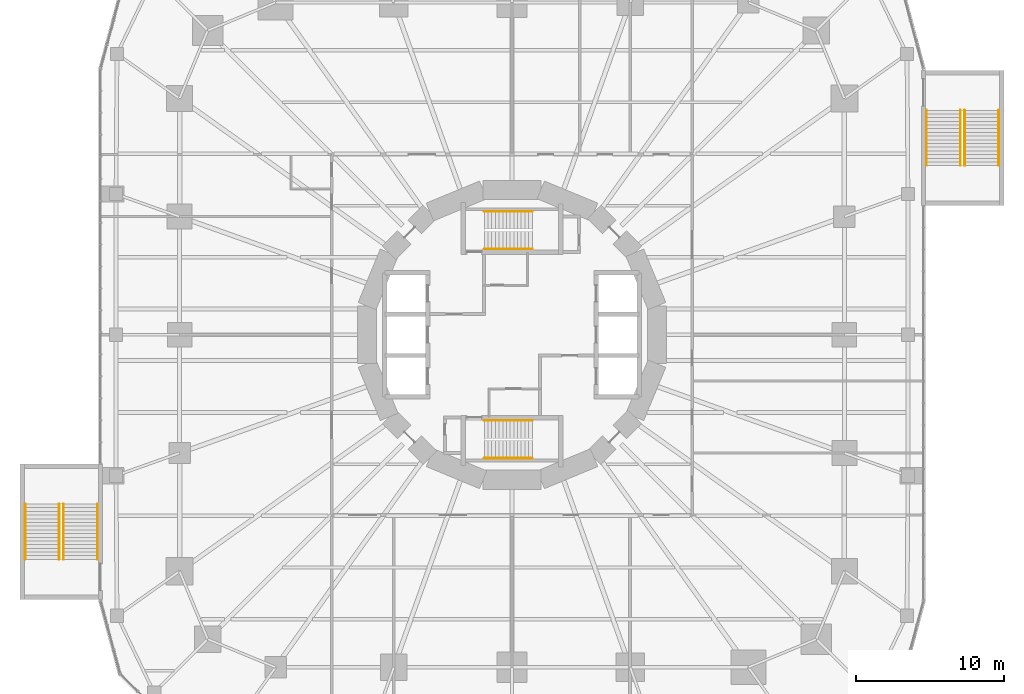
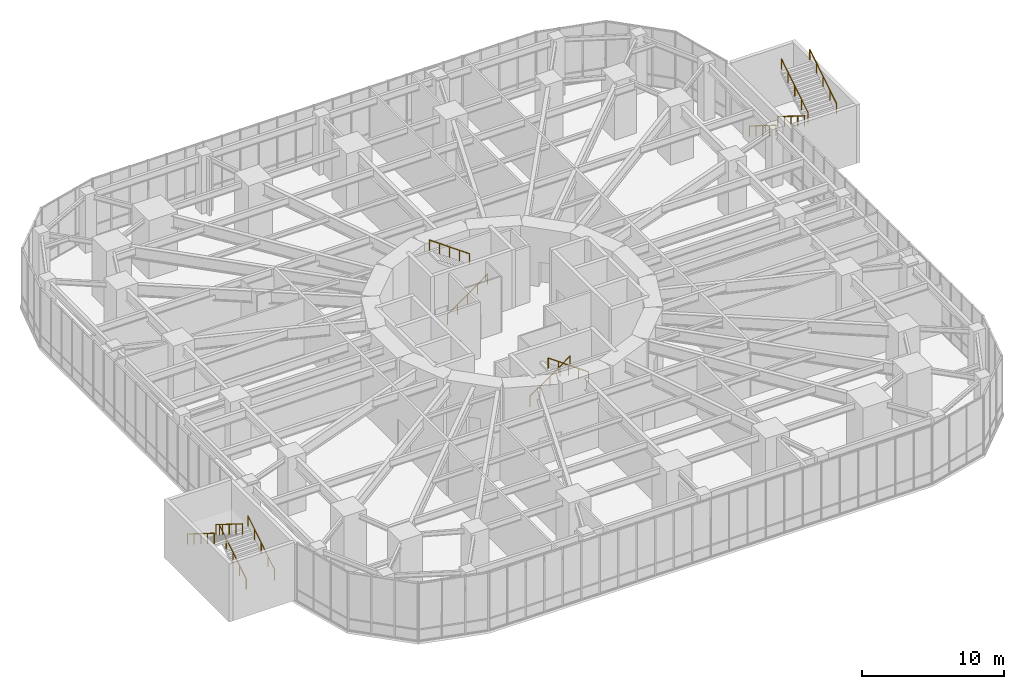
# One storey, part 24 of 24: 12 railings.
"""IFC4 building model written with IfcOpenShell, lengths in metres."""

import ifcopenshell
import ifcopenshell.guid

model = None  # the IFC model being written
_history = None  # IfcOwnerHistory: only IFC2X3 demands one
_inside = {}  # id of a spatial element -> (the spatial element, [elements in it])
_under = {}  # id of a project, library or spatial element -> (it, [spatial elements below it])
_declared = {}  # id of a project -> (the project, [libraries it declares])
_typed = {}  # id of a type object -> (the type object, [elements of that type])
_made_of = {}  # id of a material, layer set ... -> (it, [elements and type objects made of it])


def new_model(schema):
    """Start an empty IFC model of exactly this schema.

    Asked for "IFC4X3", IfcOpenShell would pick the latest addendum, in which some entities
    have other attributes; the version numbers below select the first issue.
    IFC2X3 requires an IfcOwnerHistory on every rooted entity: one is made here for all.
    """
    global model, _history
    if schema == "IFC4X3":
        model = ifcopenshell.file(schema_version=(4, 3, 0, 0))
    else:
        model = ifcopenshell.file(schema=schema)
    _inside.clear()
    _under.clear()
    _declared.clear()
    _typed.clear()
    _made_of.clear()
    _history = None
    if model.schema == "IFC2X3":
        org = make("IfcOrganization", Name="unknown")
        user = make(
            "IfcPersonAndOrganization",
            ThePerson=make("IfcPerson", FamilyName="unknown"),
            TheOrganization=org,
        )
        app = make(
            "IfcApplication",
            ApplicationDeveloper=org,
            Version="unknown",
            ApplicationFullName="unknown",
            ApplicationIdentifier="unknown",
        )
        _history = make(
            "IfcOwnerHistory",
            OwningUser=user,
            OwningApplication=app,
            ChangeAction="ADDED",
            CreationDate=0,
        )
    return model


def make(cls, **values):
    """One entity of the class cls with the attributes given. An attribute that is None is left unset."""
    return model.create_entity(
        cls, **{name: value for name, value in values.items() if value is not None}
    )


def rooted(cls, **values):
    """An entity with a GlobalId (a new one), such as an element, a storey or a relation."""
    return make(cls, GlobalId=ifcopenshell.guid.new(), OwnerHistory=_history, **values)


def si_unit(unit_type, name, prefix=None):
    """IfcSIUnit, for example si_unit("LENGTHUNIT", "METRE", prefix="MILLI")."""
    return make("IfcSIUnit", UnitType=unit_type, Prefix=prefix, Name=name)


def assignment(units):
    """IfcUnitAssignment: the units of a project."""
    return None if units is None else make("IfcUnitAssignment", Units=units)


def point(xyz):
    """IfcCartesianPoint."""
    return None if xyz is None else make("IfcCartesianPoint", Coordinates=xyz)


def direction(xyz):
    """IfcDirection."""
    return None if xyz is None else make("IfcDirection", DirectionRatios=xyz)


def frame(location, z_axis=None, x_axis=None):
    """IfcAxis2Placement3D, a coordinate frame: its origin and axes. An axis left out is left unset."""
    return make(
        "IfcAxis2Placement3D",
        Location=point(location),
        Axis=direction(z_axis),
        RefDirection=direction(x_axis),
    )


def frame_2d(location, x_axis=None):
    """IfcAxis2Placement2D, a coordinate frame in the plane: its origin and x axis."""
    return make(
        "IfcAxis2Placement2D", Location=point(location), RefDirection=direction(x_axis)
    )


def origin():
    """The frame at (0, 0, 0) with its axes left unset."""
    return frame((0.0, 0.0, 0.0))


def origin_2d():
    """The frame at (0, 0) in the plane with its x axis left unset."""
    return frame_2d((0.0, 0.0))


def place(relative_to, where):
    """IfcLocalPlacement: puts the frame where relative to a parent placement (None: the world)."""
    return make(
        "IfcLocalPlacement", PlacementRelTo=relative_to, RelativePlacement=where
    )


def context(
    kind, dimensions, precision=None, world=None, true_north=None, identifier=None
):
    """IfcGeometricRepresentationContext, for example the 3D "Model" context."""
    return make(
        "IfcGeometricRepresentationContext",
        ContextIdentifier=identifier,
        ContextType=kind,
        CoordinateSpaceDimension=dimensions,
        Precision=precision,
        WorldCoordinateSystem=world,
        TrueNorth=true_north,
    )


def subcontext(parent, identifier, kind, view, scale=None):
    """IfcGeometricRepresentationSubContext, for example "Body" below "Model"."""
    return make(
        "IfcGeometricRepresentationSubContext",
        ContextIdentifier=identifier,
        ContextType=kind,
        ParentContext=parent,
        TargetScale=scale,
        TargetView=view,
    )


def project(units=None, contexts=None):
    """IfcProject with its units and contexts."""
    return rooted(
        "IfcProject",
        Name="project",
        RepresentationContexts=contexts,
        UnitsInContext=assignment(units),
    )


def spatial(cls, under=None, at=None, **own):
    """A site, building, storey or space (cls), placed at a placement, below another one or the project."""
    s = rooted(cls, ObjectPlacement=at, **own)
    if under is not None:
        _under.setdefault(under.id(), (under, []))[1].append(s)
    return s


def profile(cls, at=None, kind="AREA", **sizes):
    """A parametric profile (cls). Its sizes go by their IFC names, for example OverallWidth=200.0."""
    return make(cls, ProfileType=kind, Position=at, **sizes)


def circle(**sizes):
    """IfcCircleProfileDef."""
    return profile("IfcCircleProfileDef", **sizes)


def extrude(swept, where, along, depth):
    """IfcExtrudedAreaSolid: the profile swept, set in the frame where, extruded along a direction by depth."""
    return make(
        "IfcExtrudedAreaSolid",
        SweptArea=swept,
        Position=where,
        ExtrudedDirection=direction(along),
        Depth=depth,
    )


def shape(context_of_items, identifier, shape_type, items):
    """IfcShapeRepresentation: the items that make up one representation, for example the "Body"."""
    return make(
        "IfcShapeRepresentation",
        ContextOfItems=context_of_items,
        RepresentationIdentifier=identifier,
        RepresentationType=shape_type,
        Items=items,
    )


def material(Name=None, Category=None):
    """IfcMaterial."""
    return make("IfcMaterial", Name=Name, Category=Category)


def made_of(thing, what):
    """Note that an element or type object is made of a material, layer set ...; save() writes the relation."""
    if what is not None:
        _made_of.setdefault(what.id(), (what, []))[1].append(thing)
    return thing


def type_object(cls, material=None, **own):
    """A type object (cls), such as IfcWallType, which elements share."""
    return made_of(rooted(cls, **own), material)


def element(
    cls,
    number,
    at=None,
    inside=None,
    cuts=None,
    type_object=None,
    material=None,
    context=None,
    identifier="Body",
    shape_type=None,
    held_by="IfcProductDefinitionShape",
    body=None,
    shapes=None,
    **own,
):
    """One element of the class cls, such as IfcWall. Its Tag is "e" and its number.

    at: its placement. inside: the storey or other place that contains it. cuts: it is an
    opening in that element (IfcRelVoidsElement). A single representation is given by context,
    identifier, shape_type and body (its items); several are given by shapes. held_by: the class
    of the entity that holds the representations. save() writes the other relations.
    """
    e = rooted(cls, Tag="e%d" % number, ObjectPlacement=at, **own)
    if body is not None:
        shapes = [shape(context, identifier, shape_type, body)]
    if shapes is not None:
        e.Representation = make(held_by, Representations=shapes)
    if inside is not None:
        _inside.setdefault(inside.id(), (inside, []))[1].append(e)
    if cuts is not None:
        rooted(
            "IfcRelVoidsElement", RelatingBuildingElement=cuts, RelatedOpeningElement=e
        )
    if type_object is not None:
        _typed.setdefault(type_object.id(), (type_object, []))[1].append(e)
    return made_of(e, material)


def aggregate(whole, parts):
    """IfcRelAggregates: a whole, such as a stair, and the parts it consists of."""
    return rooted("IfcRelAggregates", RelatingObject=whole, RelatedObjects=parts)


def save(model, path):
    """Write the relations noted so far, then the file.

    IfcRelAggregates (storeys below a building ...), IfcRelContainedInSpatialStructure (elements
    in a storey), IfcRelDefinesByType, IfcRelAssociatesMaterial and IfcRelDeclares: one each for
    every whole, place, type object, material and project.
    """
    for whole, parts in _under.values():
        aggregate(whole, parts)
    for where, things in _inside.values():
        rooted(
            "IfcRelContainedInSpatialStructure",
            RelatedElements=things,
            RelatingStructure=where,
        )
    for kind, things in _typed.values():
        rooted("IfcRelDefinesByType", RelatedObjects=things, RelatingType=kind)
    for what, things in _made_of.values():
        rooted("IfcRelAssociatesMaterial", RelatedObjects=things, RelatingMaterial=what)
    for by, libraries in _declared.values():
        rooted("IfcRelDeclares", RelatingContext=by, RelatedDefinitions=libraries)
    model.write(path)


model = new_model("IFC4")

# Units and contexts
model_context = context("Model", 3, precision=1e-05, world=origin(), true_north=direction((0.0, 1.0)))
body_context = subcontext(model_context, "Body", "Model", "MODEL_VIEW")
ifc_project = project(units=[si_unit("LENGTHUNIT", "METRE"), si_unit("AREAUNIT", "SQUARE_METRE"), si_unit("VOLUMEUNIT", "CUBIC_METRE"), si_unit("PLANEANGLEUNIT", "RADIAN"), si_unit("MASSUNIT", "GRAM", prefix="KILO")], contexts=[model_context])

# Site, building, storey
site_placement = place(None, origin())
site = spatial("IfcSite", under=ifc_project, at=site_placement, CompositionType="ELEMENT")
building_placement = place(site_placement, origin())
building = spatial("IfcBuilding", under=site, at=building_placement, Name="Nakasero Lantern House", CompositionType="ELEMENT")
storey_placement = place(building_placement, frame((0.0, 0.0, 6.0)))
storey = spatial("IfcBuildingStorey", under=building, at=storey_placement, Name="L01", CompositionType="ELEMENT", Elevation=6.0)

# Railings
ifc_material = material(Name="Stainless steel 316", Category="steel")
railing_type = type_object("IfcRailingType", Name="Stair handrail 900", PredefinedType="HANDRAIL", material=ifc_material)
railing_1_placement = place(storey_placement, frame((-1.875, 5.800048828125, 0.178466796875)))
element("IfcRailing", 1, at=railing_1_placement, inside=storey, type_object=railing_type, Name="Handrail ST1 L01 flight 1", PredefinedType="HANDRAIL", context=body_context, shape_type="SweptSolid", body=[
    extrude(circle(Radius=0.02392578125, at=origin_2d()), frame((0.0, 0.0, 0.8759765625), z_axis=(0.813721080437, 0.0, 0.581255540405), x_axis=(0.0, 1.0, 0.0)), (0.0, 0.0, 1.0), 3.993896484375),
    extrude(circle(Radius=0.02099609375, at=origin_2d()), origin(), (0.0, 0.0, 1.0), 0.851806640625),
    extrude(circle(Radius=0.02099609375, at=origin_2d()), frame((0.8125, 0.0, 0.580322265625)), (0.0, 0.0, 1.0), 0.851806640625),
    extrude(circle(Radius=0.02099609375, at=origin_2d()), frame((1.625, 0.0, 1.16064453125)), (0.0, 0.0, 1.0), 0.851806640625),
    extrude(circle(Radius=0.02099609375, at=origin_2d()), frame((2.4375, 0.0, 1.7412109375)), (0.0, 0.0, 1.0), 0.851806640625),
    extrude(circle(Radius=0.02099609375, at=origin_2d()), frame((3.25, 0.0, 2.321533203125)), (0.0, 0.0, 1.0), 0.851806640625),
])
railing_2_placement = place(storey_placement, frame((1.375, 8.35009765625, 2.678466796875)))
element("IfcRailing", 2, at=railing_2_placement, inside=storey, type_object=railing_type, Name="Handrail ST1 L01 flight 2", PredefinedType="HANDRAIL", context=body_context, shape_type="SweptSolid", body=[
    extrude(circle(Radius=0.02392578125, at=origin_2d()), frame((0.0, 0.0, 0.8759765625), z_axis=(-0.813721080437, 0.0, 0.581255540405), x_axis=(0.0, -1.0, 0.0)), (0.0, 0.0, 1.0), 3.993896484375),
    extrude(circle(Radius=0.02099609375, at=origin_2d()), origin(), (0.0, 0.0, 1.0), 0.851806640625),
    extrude(circle(Radius=0.02099609375, at=origin_2d()), frame((-0.8125, 0.0, 0.580322265625)), (0.0, 0.0, 1.0), 0.851806640625),
    extrude(circle(Radius=0.02099609375, at=origin_2d()), frame((-1.625, 0.0, 1.16064453125)), (0.0, 0.0, 1.0), 0.851806640625),
    extrude(circle(Radius=0.02099609375, at=origin_2d()), frame((-2.4375, 0.0, 1.7412109375)), (0.0, 0.0, 1.0), 0.851806640625),
    extrude(circle(Radius=0.02099609375, at=origin_2d()), frame((-3.25, 0.0, 2.321533203125)), (0.0, 0.0, 1.0), 0.851806640625),
])
railing_3_placement = place(storey_placement, frame((-1.875, -5.800048828125, 0.178466796875)))
element("IfcRailing", 3, at=railing_3_placement, inside=storey, type_object=railing_type, Name="Handrail ST2 L01 flight 1", PredefinedType="HANDRAIL", context=body_context, shape_type="SweptSolid", body=[
    extrude(circle(Radius=0.02392578125, at=origin_2d()), frame((0.0, 0.0, 0.8759765625), z_axis=(0.813721080437, 0.0, 0.581255540405), x_axis=(0.0, 1.0, 0.0)), (0.0, 0.0, 1.0), 3.993896484375),
    extrude(circle(Radius=0.02099609375, at=origin_2d()), origin(), (0.0, 0.0, 1.0), 0.851806640625),
    extrude(circle(Radius=0.02099609375, at=origin_2d()), frame((0.8125, 0.0, 0.580322265625)), (0.0, 0.0, 1.0), 0.851806640625),
    extrude(circle(Radius=0.02099609375, at=origin_2d()), frame((1.625, 0.0, 1.16064453125)), (0.0, 0.0, 1.0), 0.851806640625),
    extrude(circle(Radius=0.02099609375, at=origin_2d()), frame((2.4375, 0.0, 1.7412109375)), (0.0, 0.0, 1.0), 0.851806640625),
    extrude(circle(Radius=0.02099609375, at=origin_2d()), frame((3.25, 0.0, 2.321533203125)), (0.0, 0.0, 1.0), 0.851806640625),
])
railing_4_placement = place(storey_placement, frame((1.375, -8.35009765625, 2.678466796875)))
element("IfcRailing", 4, at=railing_4_placement, inside=storey, type_object=railing_type, Name="Handrail ST2 L01 flight 2", PredefinedType="HANDRAIL", context=body_context, shape_type="SweptSolid", body=[
    extrude(circle(Radius=0.02392578125, at=origin_2d()), frame((0.0, 0.0, 0.8759765625), z_axis=(-0.813721080437, 0.0, 0.581255540405), x_axis=(0.0, -1.0, 0.0)), (0.0, 0.0, 1.0), 3.993896484375),
    extrude(circle(Radius=0.02099609375, at=origin_2d()), origin(), (0.0, 0.0, 1.0), 0.851806640625),
    extrude(circle(Radius=0.02099609375, at=origin_2d()), frame((-0.8125, 0.0, 0.580322265625)), (0.0, 0.0, 1.0), 0.851806640625),
    extrude(circle(Radius=0.02099609375, at=origin_2d()), frame((-1.625, 0.0, 1.16064453125)), (0.0, 0.0, 1.0), 0.851806640625),
    extrude(circle(Radius=0.02099609375, at=origin_2d()), frame((-2.4375, 0.0, 1.7412109375)), (0.0, 0.0, 1.0), 0.851806640625),
    extrude(circle(Radius=0.02099609375, at=origin_2d()), frame((-3.25, 0.0, 2.321533203125)), (0.0, 0.0, 1.0), 0.851806640625),
])
for number, where, name in (
    (5, (28.050048828125, 15.199951171875, 0.15625), "Handrail PS1 L01 flight 1 wall"),
    (6, (30.35009765625, 15.199951171875, 0.15625), "Handrail PS1 L01 flight 1 well"),
):
    element("IfcRailing", number, at=place(storey_placement, frame(where)), inside=storey, type_object=railing_type, Name=name, PredefinedType="HANDRAIL", context=body_context, shape_type="SweptSolid", body=[
        extrude(circle(Radius=0.02392578125, at=origin_2d()), frame((0.0, 0.0, 0.8759765625), z_axis=(0.0, -0.847998304005, 0.529998940003), x_axis=(1.0, 0.0, 0.0)), (0.0, 0.0, 1.0), 4.422119140625),
        extrude(circle(Radius=0.02099609375, at=origin_2d()), origin(), (0.0, 0.0, 1.0), 0.851806640625),
        extrude(circle(Radius=0.02099609375, at=origin_2d()), frame((0.0, -0.9375, 0.5859375)), (0.0, 0.0, 1.0), 0.851806640625),
        extrude(circle(Radius=0.02099609375, at=origin_2d()), frame((0.0, -1.875, 1.171875)), (0.0, 0.0, 1.0), 0.851806640625),
        extrude(circle(Radius=0.02099609375, at=origin_2d()), frame((0.0, -2.8125, 1.7578125)), (0.0, 0.0, 1.0), 0.851806640625),
        extrude(circle(Radius=0.02099609375, at=origin_2d()), frame((0.0, -3.75, 2.34375)), (0.0, 0.0, 1.0), 0.851806640625),
    ])
for number, where, name in (
    (7, (32.949951171875, 11.449951171875, 2.65625), "Handrail PS1 L01 flight 2 wall"),
    (8, (30.64990234375, 11.449951171875, 2.65625), "Handrail PS1 L01 flight 2 well"),
    (9, (-28.050048828125, -15.199951171875, 0.15625), "Handrail PS2 L01 flight 1 wall"),
    (10, (-30.35009765625, -15.199951171875, 0.15625), "Handrail PS2 L01 flight 1 well"),
):
    element("IfcRailing", number, at=place(storey_placement, frame(where)), inside=storey, type_object=railing_type, Name=name, PredefinedType="HANDRAIL", context=body_context, shape_type="SweptSolid", body=[
        extrude(circle(Radius=0.02392578125, at=origin_2d()), frame((0.0, 0.0, 0.8759765625), z_axis=(0.0, 0.847998304005, 0.529998940003), x_axis=(-1.0, 0.0, 0.0)), (0.0, 0.0, 1.0), 4.422119140625),
        extrude(circle(Radius=0.02099609375, at=origin_2d()), origin(), (0.0, 0.0, 1.0), 0.851806640625),
        extrude(circle(Radius=0.02099609375, at=origin_2d()), frame((0.0, 0.9375, 0.5859375)), (0.0, 0.0, 1.0), 0.851806640625),
        extrude(circle(Radius=0.02099609375, at=origin_2d()), frame((0.0, 1.875, 1.171875)), (0.0, 0.0, 1.0), 0.851806640625),
        extrude(circle(Radius=0.02099609375, at=origin_2d()), frame((0.0, 2.8125, 1.7578125)), (0.0, 0.0, 1.0), 0.851806640625),
        extrude(circle(Radius=0.02099609375, at=origin_2d()), frame((0.0, 3.75, 2.34375)), (0.0, 0.0, 1.0), 0.851806640625),
    ])
for number, where, name in (
    (11, (-32.949951171875, -11.449951171875, 2.65625), "Handrail PS2 L01 flight 2 wall"),
    (12, (-30.64990234375, -11.449951171875, 2.65625), "Handrail PS2 L01 flight 2 well"),
):
    element("IfcRailing", number, at=place(storey_placement, frame(where)), inside=storey, type_object=railing_type, Name=name, PredefinedType="HANDRAIL", context=body_context, shape_type="SweptSolid", body=[
        extrude(circle(Radius=0.02392578125, at=origin_2d()), frame((0.0, 0.0, 0.8759765625), z_axis=(0.0, -0.847998304005, 0.529998940003), x_axis=(1.0, 0.0, 0.0)), (0.0, 0.0, 1.0), 4.422119140625),
        extrude(circle(Radius=0.02099609375, at=origin_2d()), origin(), (0.0, 0.0, 1.0), 0.851806640625),
        extrude(circle(Radius=0.02099609375, at=origin_2d()), frame((0.0, -0.9375, 0.5859375)), (0.0, 0.0, 1.0), 0.851806640625),
        extrude(circle(Radius=0.02099609375, at=origin_2d()), frame((0.0, -1.875, 1.171875)), (0.0, 0.0, 1.0), 0.851806640625),
        extrude(circle(Radius=0.02099609375, at=origin_2d()), frame((0.0, -2.8125, 1.7578125)), (0.0, 0.0, 1.0), 0.851806640625),
        extrude(circle(Radius=0.02099609375, at=origin_2d()), frame((0.0, -3.75, 2.34375)), (0.0, 0.0, 1.0), 0.851806640625),
    ])

save(model, "model.ifc")
